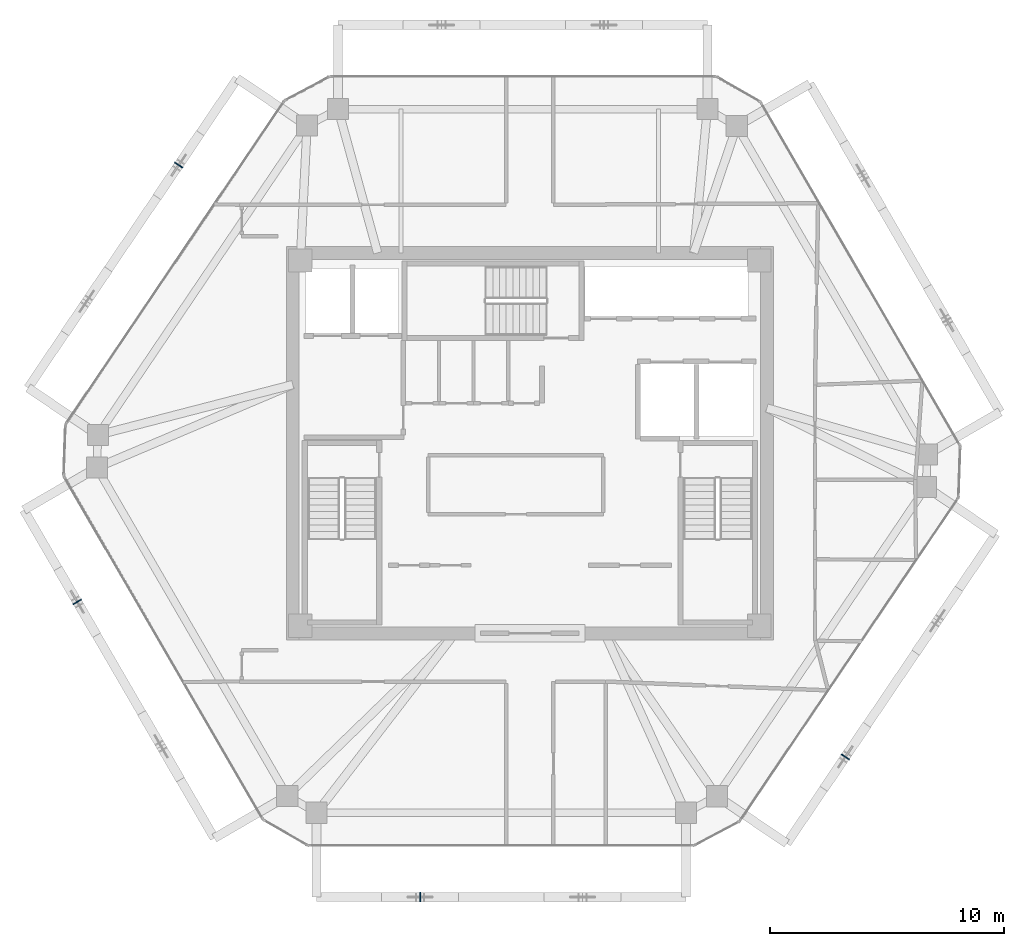
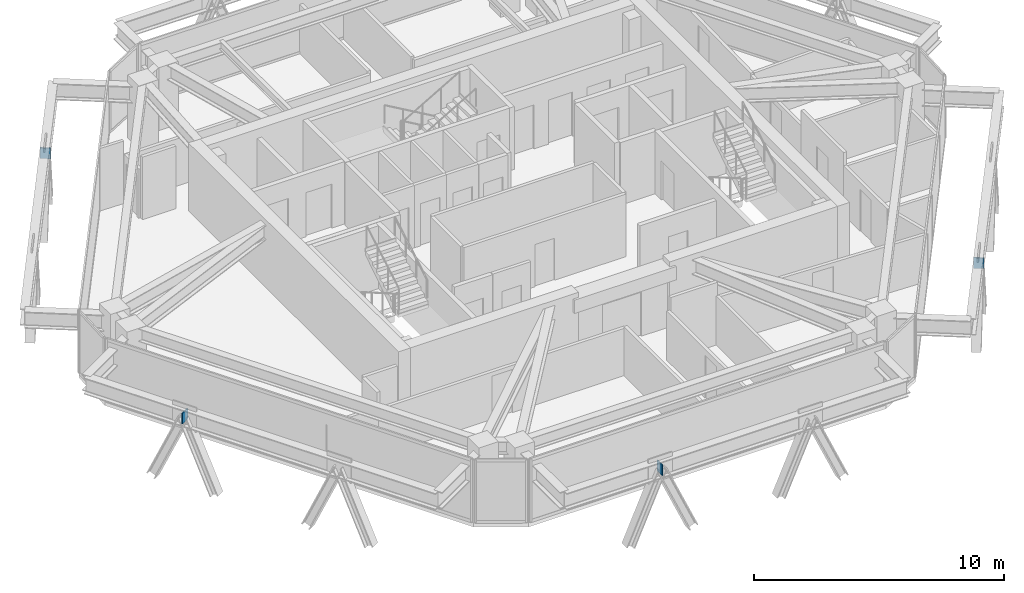
# One storey, part 8 of 12: 4 plates.
"""IFC4 building model written with IfcOpenShell, lengths in metres."""

from ifc_helpers import new_model, si_unit, direction, frame, origin, origin_2d, place, context, subcontext, project, spatial, rectangle, extrude, source, transform, mapped, material, layer, layer_set, type_object, type_shapes, element, save


model = new_model("IFC4")

# Units and contexts
model_context = context("Model", 3, precision=1e-05, world=origin(), true_north=direction((0.0, 1.0)))
body_context = subcontext(model_context, "Body", "Model", "MODEL_VIEW")
ifc_project = project(units=[si_unit("LENGTHUNIT", "METRE"), si_unit("AREAUNIT", "SQUARE_METRE"), si_unit("VOLUMEUNIT", "CUBIC_METRE"), si_unit("PLANEANGLEUNIT", "RADIAN"), si_unit("MASSUNIT", "GRAM", prefix="KILO")], contexts=[model_context])

# Site, building, storey
site_placement = place(None, origin())
site = spatial("IfcSite", under=ifc_project, at=site_placement, CompositionType="ELEMENT")
building_placement = place(site_placement, origin())
building = spatial("IfcBuilding", under=site, at=building_placement, Name="Durnholm Broadcast Tower", CompositionType="ELEMENT")
storey_placement = place(building_placement, frame((0.0, 0.0, 221.60009765625)))
storey = spatial("IfcBuildingStorey", under=building, at=storey_placement, Name="L61", CompositionType="ELEMENT", Elevation=221.60009765625)

# Plates
ifc_material = material(Name="Steel ASTM A572 Grade 50", Category="steel")
ifc_layer = layer(ifc_material, 0.044921875)
ifc_layer_set = layer_set([ifc_layer], Name="Steel ASTM A572 Grade 50")
plate_type = type_object("IfcPlateType", Name="PLT-KN-STIF", PredefinedType="SHEET", material=ifc_layer_set)
shared_shape = source(origin(), body_context, "Body", "SweptSolid", [
    extrude(rectangle(XDim=0.044921875, YDim=0.419921875, at=origin_2d()), origin(), (0.0, 0.0, 1.0), 0.52001953125),
])
type_shapes(plate_type, [shared_shape])
for number, where, z_axis, x_axis, name in (
    (1, (-4.688720703125, -19.385986328125, 2.04833984375), (0.0, 0.0, 1.0), (1.0, 0.0, 0.0), "L61 welded diagrid node stiffener plate F1"),
    (2, (13.47412109375, -13.398193359375, 2.04833984375), (0.0, 0.0, 1.0), (0.560060762816, 0.828451532652, 0.0), "L61 welded diagrid node stiffener plate F2"),
    (3, (-14.998046875, 11.874267578125, 2.04833984375), (0.0, 0.0, 1.0), (-0.560060762816, -0.828451532652, 0.0), "L61 welded diagrid node stiffener plate F5"),
    (4, (-19.330810546875, -6.77880859375, 2.04833984375), (0.0, 0.0, 1.0), (0.501963660617, -0.864888711581, 0.0), "L61 welded diagrid node stiffener plate F6"),
):
    element("IfcPlate", number, at=place(storey_placement, frame(where, z_axis=z_axis, x_axis=x_axis)), inside=storey, type_object=plate_type, Name=name, PredefinedType="SHEET", context=body_context, shape_type="MappedRepresentation", body=[
        mapped(shared_shape, transform((0.0, 0.0, 0.0), x_axis=(1.0, 0.0, 0.0), y_axis=(0.0, 1.0, 0.0), z_axis=(0.0, 0.0, 1.0), scale=1.0)),
    ])

save(model, "model.ifc")
